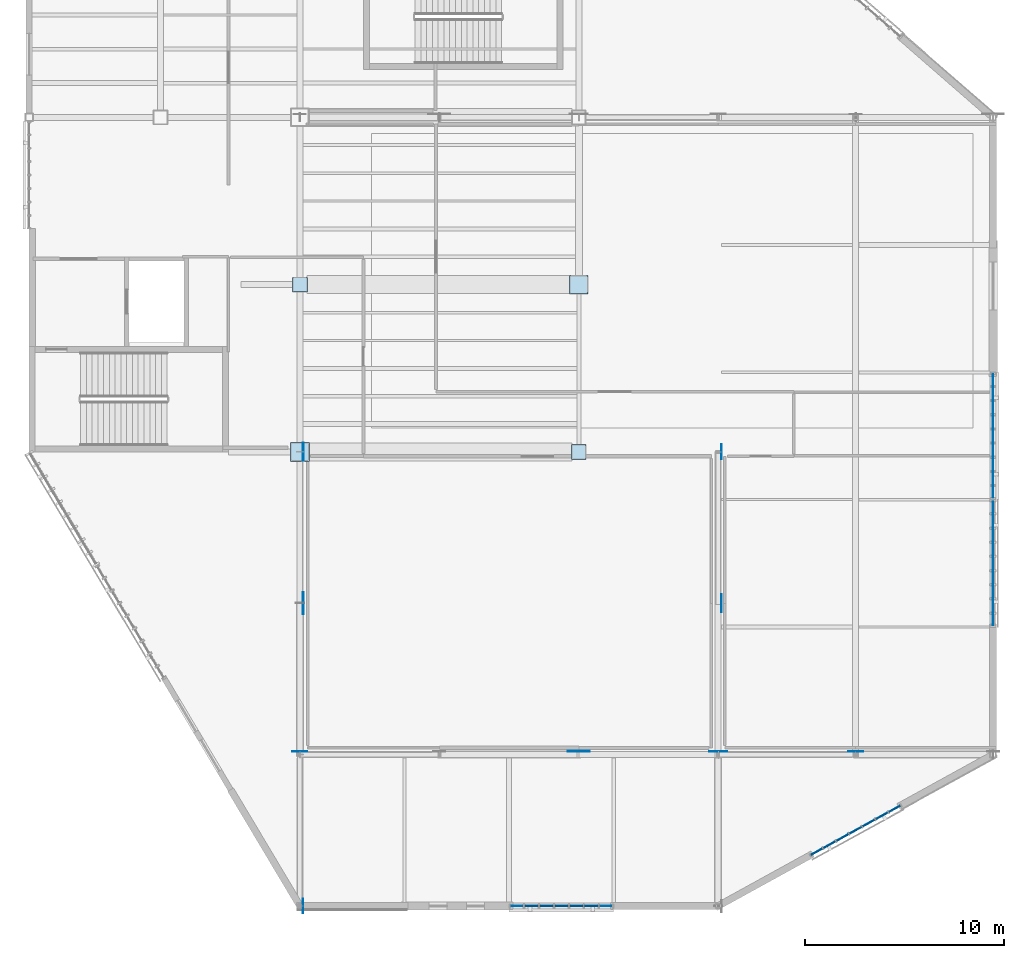
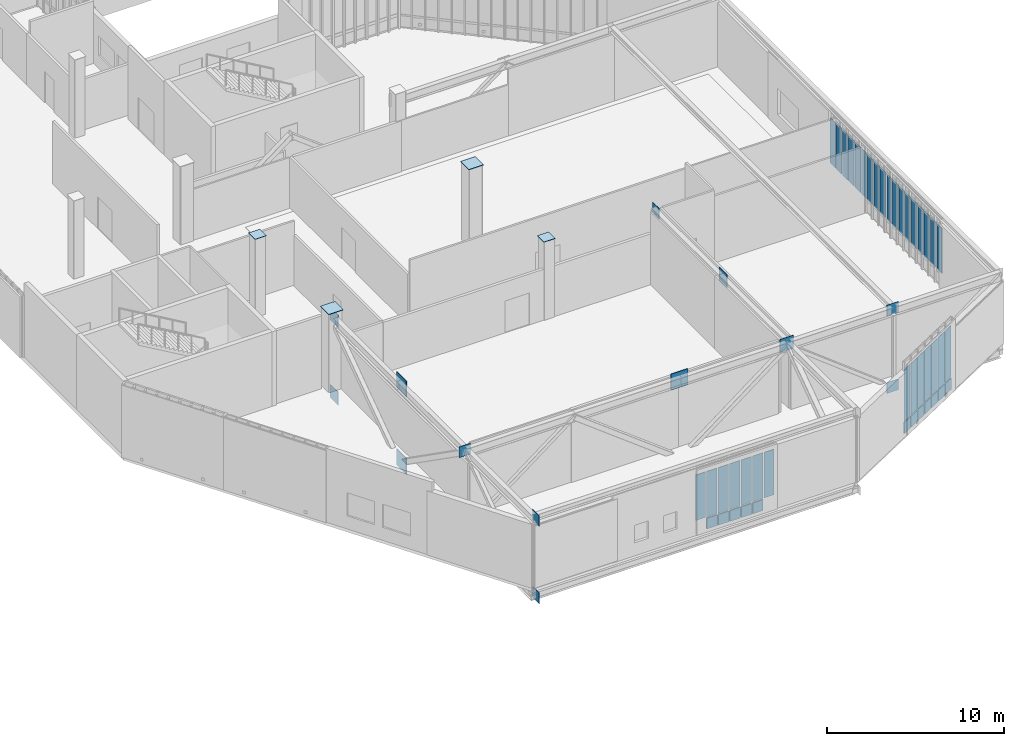
# One storey, part 85 of 135: 61 plates, 4 elements without a shape of their own.
"""IFC4 building model written with IfcOpenShell, lengths in metres."""

from ifc_helpers import new_model, si_unit, direction, frame, origin, origin_2d, place, context, subcontext, project, spatial, rectangle, extrude, material, layer, layer_set, type_object, element, aggregate, save


model = new_model("IFC4")

# Units and contexts
model_context = context("Model", 3, precision=1e-05, world=origin(), true_north=direction((0.0, 1.0)))
body_context = subcontext(model_context, "Body", "Model", "MODEL_VIEW")
ifc_project = project(units=[si_unit("LENGTHUNIT", "METRE"), si_unit("AREAUNIT", "SQUARE_METRE"), si_unit("VOLUMEUNIT", "CUBIC_METRE"), si_unit("PLANEANGLEUNIT", "RADIAN"), si_unit("MASSUNIT", "GRAM", prefix="KILO")], contexts=[model_context])

# Site, building, storey
site_placement = place(None, origin())
site = spatial("IfcSite", under=ifc_project, at=site_placement, CompositionType="ELEMENT")
building_placement = place(site_placement, origin())
building = spatial("IfcBuilding", under=site, at=building_placement, Name="Larkvane Passage Sports Hall", CompositionType="ELEMENT")
storey_placement = place(building_placement, frame((0.0, 0.0, 16.800048828125)))
storey = spatial("IfcBuildingStorey", under=building, at=storey_placement, Name="L03", CompositionType="ELEMENT", Elevation=16.800048828125)

# Curtain wall, plates
ifc_material_1 = material(Name="Thermally broken aluminium and low-E glazing", Category="aluminium")
curtain_wall_type_1 = type_object("IfcCurtainWallType", Name="CW-UNIT-COURT", PredefinedType="USERDEFINED", material=ifc_material_1)
curtain_wall_1_placement = place(storey_placement, origin())
curtain_wall_1 = element("IfcCurtainWall", 1, at=curtain_wall_1_placement, inside=storey, type_object=curtain_wall_type_1, Name="Curtain wall CW5-L03-116", ObjectType="UNITISED CURTAIN WALL", PredefinedType="USERDEFINED")
ifc_material_2 = material(Name="Insulated aluminium spandrel panel", Category="aluminium")
ifc_layer_1 = layer(ifc_material_2, 0.06494140625)
ifc_layer_set_1 = layer_set([ifc_layer_1], Name="Insulated aluminium spandrel panel")
plate_type_1 = type_object("IfcPlateType", Name="CWP-SPD-65", PredefinedType="CURTAIN_PANEL", material=ifc_layer_set_1)
plate_1_placement = place(storey_placement, frame((161.458251953125, 4.87841796875, 0.06005859375), z_axis=(0.0, 0.0, 1.0), x_axis=(-0.875942378343, -0.482415743754, 0.0)))
plate_1 = element("IfcPlate", 2, at=plate_1_placement, type_object=plate_type_1, Name="CW-01 panel 1.1", PredefinedType="CURTAIN_PANEL", context=body_context, shape_type="SweptSolid", body=[
    extrude(rectangle(XDim=0.66015625, YDim=0.06494140625, at=origin_2d()), origin(), (0.0, 0.0, 1.0), 0.760009765625),
])
plate_2_placement = place(storey_placement, frame((160.814208984375, 4.52392578125, 0.06005859375), z_axis=(0.0, 0.0, 1.0), x_axis=(-0.875942378343, -0.482415743754, 0.0)))
plate_2 = element("IfcPlate", 3, at=plate_2_placement, type_object=plate_type_1, Name="CW-01 panel 2.1", PredefinedType="CURTAIN_PANEL", context=body_context, shape_type="SweptSolid", body=[
    extrude(rectangle(XDim=0.690185546875, YDim=0.06494140625, at=origin_2d()), origin(), (0.0, 0.0, 1.0), 0.760009765625),
])
plate_3_placement = place(storey_placement, frame((160.1572265625, 4.161865234375, 0.06005859375), z_axis=(0.0, 0.0, 1.0), x_axis=(-0.875942378343, -0.482415743754, 0.0)))
plate_3 = element("IfcPlate", 4, at=plate_3_placement, type_object=plate_type_1, Name="CW-01 panel 3.1", PredefinedType="CURTAIN_PANEL", context=body_context, shape_type="SweptSolid", body=[
    extrude(rectangle(XDim=0.690185546875, YDim=0.06494140625, at=origin_2d()), origin(), (0.0, 0.0, 1.0), 0.760009765625),
])
plate_4_placement = place(storey_placement, frame((159.5, 3.800048828125, 0.06005859375), z_axis=(0.0, 0.0, 1.0), x_axis=(-0.875942378343, -0.482415743754, 0.0)))
plate_4 = element("IfcPlate", 5, at=plate_4_placement, type_object=plate_type_1, Name="CW-01 panel 4.1", PredefinedType="CURTAIN_PANEL", context=body_context, shape_type="SweptSolid", body=[
    extrude(rectangle(XDim=0.690185546875, YDim=0.06494140625, at=origin_2d()), origin(), (0.0, 0.0, 1.0), 0.760009765625),
])
plate_5_placement = place(storey_placement, frame((158.8427734375, 3.43798828125, 0.06005859375), z_axis=(0.0, 0.0, 1.0), x_axis=(-0.875942378343, -0.482415743754, 0.0)))
plate_5 = element("IfcPlate", 6, at=plate_5_placement, type_object=plate_type_1, Name="CW-01 panel 5.1", PredefinedType="CURTAIN_PANEL", context=body_context, shape_type="SweptSolid", body=[
    extrude(rectangle(XDim=0.690185546875, YDim=0.06494140625, at=origin_2d()), origin(), (0.0, 0.0, 1.0), 0.760009765625),
])
plate_6_placement = place(storey_placement, frame((158.185791015625, 3.076171875, 0.06005859375), z_axis=(0.0, 0.0, 1.0), x_axis=(-0.875942378343, -0.482415743754, 0.0)))
plate_6 = element("IfcPlate", 7, at=plate_6_placement, type_object=plate_type_1, Name="CW-01 panel 6.1", PredefinedType="CURTAIN_PANEL", context=body_context, shape_type="SweptSolid", body=[
    extrude(rectangle(XDim=0.690185546875, YDim=0.06494140625, at=origin_2d()), origin(), (0.0, 0.0, 1.0), 0.760009765625),
])
plate_7_placement = place(storey_placement, frame((157.541748046875, 2.721435546875, 0.06005859375), z_axis=(0.0, 0.0, 1.0), x_axis=(-0.875942378343, -0.482415743754, 0.0)))
plate_7 = element("IfcPlate", 8, at=plate_7_placement, type_object=plate_type_1, Name="CW-01 panel 7.1", PredefinedType="CURTAIN_PANEL", context=body_context, shape_type="SweptSolid", body=[
    extrude(rectangle(XDim=0.66015625, YDim=0.06494140625, at=origin_2d()), origin(), (0.0, 0.0, 1.0), 0.760009765625),
])

curtain_wall_type_2 = type_object("IfcCurtainWallType", Name="CW-UNIT-VEIL", PredefinedType="USERDEFINED", material=ifc_material_1)
curtain_wall_2_placement = place(storey_placement, origin())
curtain_wall_2 = element("IfcCurtainWall", 9, at=curtain_wall_2_placement, inside=storey, type_object=curtain_wall_type_2, Name="Curtain wall CW5-L03-117", ObjectType="UNITISED CURTAIN WALL", PredefinedType="USERDEFINED")
ifc_material_3 = material(Name="Mineral-wool insulated spandrel cassette")
ifc_layer_2 = layer(ifc_material_3, 0.0849609375)
ifc_layer_set_2 = layer_set([ifc_layer_2], Name="Mineral-wool insulated spandrel cassette")
plate_type_2 = type_object("IfcPlateType", Name="CWP-SPD-85", PredefinedType="CURTAIN_PANEL", material=ifc_layer_set_2)
plate_8_placement = place(storey_placement, frame((146.22509765625, 0.0, 0.06982421875), z_axis=(0.0, 0.0, 1.0), x_axis=(-1.0, 0.0, 0.0)))
plate_8 = element("IfcPlate", 10, at=plate_8_placement, type_object=plate_type_2, Name="CW-02 panel 2.1", PredefinedType="CURTAIN_PANEL", context=body_context, shape_type="SweptSolid", body=[
    extrude(rectangle(XDim=0.679931640625, YDim=0.0849609375, at=origin_2d()), origin(), (0.0, 0.0, 1.0), 0.7451171875),
])
plate_9_placement = place(storey_placement, frame((145.47509765625, 0.0, 0.06982421875), z_axis=(0.0, 0.0, 1.0), x_axis=(-1.0, 0.0, 0.0)))
plate_9 = element("IfcPlate", 11, at=plate_9_placement, type_object=plate_type_2, Name="CW-02 panel 3.1", PredefinedType="CURTAIN_PANEL", context=body_context, shape_type="SweptSolid", body=[
    extrude(rectangle(XDim=0.679931640625, YDim=0.0849609375, at=origin_2d()), origin(), (0.0, 0.0, 1.0), 0.7451171875),
])
plate_10_placement = place(storey_placement, frame((144.72509765625, 0.0, 0.06982421875), z_axis=(0.0, 0.0, 1.0), x_axis=(-1.0, 0.0, 0.0)))
plate_10 = element("IfcPlate", 12, at=plate_10_placement, type_object=plate_type_2, Name="CW-02 panel 4.1", PredefinedType="CURTAIN_PANEL", context=body_context, shape_type="SweptSolid", body=[
    extrude(rectangle(XDim=0.679931640625, YDim=0.0849609375, at=origin_2d()), origin(), (0.0, 0.0, 1.0), 0.7451171875),
])
plate_11_placement = place(storey_placement, frame((143.97509765625, 0.0, 0.06982421875), z_axis=(0.0, 0.0, 1.0), x_axis=(-1.0, 0.0, 0.0)))
plate_11 = element("IfcPlate", 13, at=plate_11_placement, type_object=plate_type_2, Name="CW-02 panel 5.1", PredefinedType="CURTAIN_PANEL", context=body_context, shape_type="SweptSolid", body=[
    extrude(rectangle(XDim=0.679931640625, YDim=0.0849609375, at=origin_2d()), origin(), (0.0, 0.0, 1.0), 0.7451171875),
])
plate_12_placement = place(storey_placement, frame((143.22509765625, 0.0, 0.06982421875), z_axis=(0.0, 0.0, 1.0), x_axis=(-1.0, 0.0, 0.0)))
plate_12 = element("IfcPlate", 14, at=plate_12_placement, type_object=plate_type_2, Name="CW-02 panel 6.1", PredefinedType="CURTAIN_PANEL", context=body_context, shape_type="SweptSolid", body=[
    extrude(rectangle(XDim=0.679931640625, YDim=0.0849609375, at=origin_2d()), origin(), (0.0, 0.0, 1.0), 0.7451171875),
])

# Plate
ifc_material_4 = material(Name="Solar-control low-E double glazing", Category="glass")
ifc_layer_3 = layer(ifc_material_4, 0.028076171875)
ifc_layer_set_3 = layer_set([ifc_layer_3], Name="Solar-control low-E double glazing")
plate_type_3 = type_object("IfcPlateType", Name="CWP-VIS-28", PredefinedType="CURTAIN_PANEL", material=ifc_layer_set_3)
plate_13_placement = place(storey_placement, frame((161.458251953125, 4.87841796875, 0.8798828125), z_axis=(0.0, 0.0, 1.0), x_axis=(-0.875942378343, -0.482415743754, 0.0)))
plate_13 = element("IfcPlate", 15, at=plate_13_placement, type_object=plate_type_3, Name="CW-01 panel 1.2", PredefinedType="CURTAIN_PANEL", context=body_context, shape_type="SweptSolid", body=[
    extrude(rectangle(XDim=0.66015625, YDim=0.028076171875, at=origin_2d()), origin(), (0.0, 0.0, 1.0), 3.570068359375),
])

plate_14_placement = place(storey_placement, frame((160.814208984375, 4.52392578125, 0.8798828125), z_axis=(0.0, 0.0, 1.0), x_axis=(-0.875942378343, -0.482415743754, 0.0)))
plate_14 = element("IfcPlate", 16, at=plate_14_placement, type_object=plate_type_3, Name="CW-01 panel 2.2", PredefinedType="CURTAIN_PANEL", context=body_context, shape_type="SweptSolid", body=[
    extrude(rectangle(XDim=0.690185546875, YDim=0.028076171875, at=origin_2d()), origin(), (0.0, 0.0, 1.0), 3.570068359375),
])

plate_15_placement = place(storey_placement, frame((160.1572265625, 4.161865234375, 0.8798828125), z_axis=(0.0, 0.0, 1.0), x_axis=(-0.875942378343, -0.482415743754, 0.0)))
plate_15 = element("IfcPlate", 17, at=plate_15_placement, type_object=plate_type_3, Name="CW-01 panel 3.2", PredefinedType="CURTAIN_PANEL", context=body_context, shape_type="SweptSolid", body=[
    extrude(rectangle(XDim=0.690185546875, YDim=0.028076171875, at=origin_2d()), origin(), (0.0, 0.0, 1.0), 3.570068359375),
])

plate_16_placement = place(storey_placement, frame((159.5, 3.800048828125, 0.8798828125), z_axis=(0.0, 0.0, 1.0), x_axis=(-0.875942378343, -0.482415743754, 0.0)))
plate_16 = element("IfcPlate", 18, at=plate_16_placement, type_object=plate_type_3, Name="CW-01 panel 4.2", PredefinedType="CURTAIN_PANEL", context=body_context, shape_type="SweptSolid", body=[
    extrude(rectangle(XDim=0.690185546875, YDim=0.028076171875, at=origin_2d()), origin(), (0.0, 0.0, 1.0), 3.570068359375),
])

plate_17_placement = place(storey_placement, frame((158.8427734375, 3.43798828125, 0.8798828125), z_axis=(0.0, 0.0, 1.0), x_axis=(-0.875942378343, -0.482415743754, 0.0)))
plate_17 = element("IfcPlate", 19, at=plate_17_placement, type_object=plate_type_3, Name="CW-01 panel 5.2", PredefinedType="CURTAIN_PANEL", context=body_context, shape_type="SweptSolid", body=[
    extrude(rectangle(XDim=0.690185546875, YDim=0.028076171875, at=origin_2d()), origin(), (0.0, 0.0, 1.0), 3.570068359375),
])

plate_18_placement = place(storey_placement, frame((158.185791015625, 3.076171875, 0.8798828125), z_axis=(0.0, 0.0, 1.0), x_axis=(-0.875942378343, -0.482415743754, 0.0)))
plate_18 = element("IfcPlate", 20, at=plate_18_placement, type_object=plate_type_3, Name="CW-01 panel 6.2", PredefinedType="CURTAIN_PANEL", context=body_context, shape_type="SweptSolid", body=[
    extrude(rectangle(XDim=0.690185546875, YDim=0.028076171875, at=origin_2d()), origin(), (0.0, 0.0, 1.0), 3.570068359375),
])

plate_19_placement = place(storey_placement, frame((157.541748046875, 2.721435546875, 0.8798828125), z_axis=(0.0, 0.0, 1.0), x_axis=(-0.875942378343, -0.482415743754, 0.0)))
plate_19 = element("IfcPlate", 21, at=plate_19_placement, type_object=plate_type_3, Name="CW-01 panel 7.2", PredefinedType="CURTAIN_PANEL", context=body_context, shape_type="SweptSolid", body=[
    extrude(rectangle(XDim=0.66015625, YDim=0.028076171875, at=origin_2d()), origin(), (0.0, 0.0, 1.0), 3.570068359375),
])

aggregate(curtain_wall_1, [plate_1, plate_13, plate_2, plate_14, plate_3, plate_15, plate_4, plate_16, plate_5, plate_17, plate_6, plate_18, plate_7, plate_19])

ifc_material_5 = material(Name="Laminated acoustic low-E glazing", Category="glass")
ifc_layer_4 = layer(ifc_material_5, 0.031982421875)
ifc_layer_set_4 = layer_set([ifc_layer_4], Name="Laminated acoustic low-E glazing")
plate_type_4 = type_object("IfcPlateType", Name="CWP-VIS-32", PredefinedType="CURTAIN_PANEL", material=ifc_layer_set_4)
plate_20_placement = place(storey_placement, frame((146.95751953125, 0.0, 0.885009765625), z_axis=(0.0, 0.0, 1.0), x_axis=(-1.0, 0.0, 0.0)))
plate_20 = element("IfcPlate", 22, at=plate_20_placement, type_object=plate_type_4, Name="CW-02 panel 1.2", PredefinedType="CURTAIN_PANEL", context=body_context, shape_type="SweptSolid", body=[
    extrude(rectangle(XDim=0.64501953125, YDim=0.031982421875, at=origin_2d()), origin(), (0.0, 0.0, 1.0), 3.14794921875),
])

plate_21_placement = place(storey_placement, frame((146.22509765625, 0.0, 0.885009765625), z_axis=(0.0, 0.0, 1.0), x_axis=(-1.0, 0.0, 0.0)))
plate_21 = element("IfcPlate", 23, at=plate_21_placement, type_object=plate_type_4, Name="CW-02 panel 2.2", PredefinedType="CURTAIN_PANEL", context=body_context, shape_type="SweptSolid", body=[
    extrude(rectangle(XDim=0.679931640625, YDim=0.031982421875, at=origin_2d()), origin(), (0.0, 0.0, 1.0), 3.14794921875),
])

plate_22_placement = place(storey_placement, frame((145.47509765625, 0.0, 0.885009765625), z_axis=(0.0, 0.0, 1.0), x_axis=(-1.0, 0.0, 0.0)))
plate_22 = element("IfcPlate", 24, at=plate_22_placement, type_object=plate_type_4, Name="CW-02 panel 3.2", PredefinedType="CURTAIN_PANEL", context=body_context, shape_type="SweptSolid", body=[
    extrude(rectangle(XDim=0.679931640625, YDim=0.031982421875, at=origin_2d()), origin(), (0.0, 0.0, 1.0), 3.14794921875),
])

plate_23_placement = place(storey_placement, frame((144.72509765625, 0.0, 0.885009765625), z_axis=(0.0, 0.0, 1.0), x_axis=(-1.0, 0.0, 0.0)))
plate_23 = element("IfcPlate", 25, at=plate_23_placement, type_object=plate_type_4, Name="CW-02 panel 4.2", PredefinedType="CURTAIN_PANEL", context=body_context, shape_type="SweptSolid", body=[
    extrude(rectangle(XDim=0.679931640625, YDim=0.031982421875, at=origin_2d()), origin(), (0.0, 0.0, 1.0), 3.14794921875),
])

plate_24_placement = place(storey_placement, frame((143.97509765625, 0.0, 0.885009765625), z_axis=(0.0, 0.0, 1.0), x_axis=(-1.0, 0.0, 0.0)))
plate_24 = element("IfcPlate", 26, at=plate_24_placement, type_object=plate_type_4, Name="CW-02 panel 5.2", PredefinedType="CURTAIN_PANEL", context=body_context, shape_type="SweptSolid", body=[
    extrude(rectangle(XDim=0.679931640625, YDim=0.031982421875, at=origin_2d()), origin(), (0.0, 0.0, 1.0), 3.14794921875),
])

plate_25_placement = place(storey_placement, frame((143.22509765625, 0.0, 0.885009765625), z_axis=(0.0, 0.0, 1.0), x_axis=(-1.0, 0.0, 0.0)))
plate_25 = element("IfcPlate", 27, at=plate_25_placement, type_object=plate_type_4, Name="CW-02 panel 6.2", PredefinedType="CURTAIN_PANEL", context=body_context, shape_type="SweptSolid", body=[
    extrude(rectangle(XDim=0.679931640625, YDim=0.031982421875, at=origin_2d()), origin(), (0.0, 0.0, 1.0), 3.14794921875),
])

plate_26_placement = place(storey_placement, frame((142.492431640625, 0.0, 0.885009765625), z_axis=(0.0, 0.0, 1.0), x_axis=(-1.0, 0.0, 0.0)))
plate_26 = element("IfcPlate", 28, at=plate_26_placement, type_object=plate_type_4, Name="CW-02 panel 7.2", PredefinedType="CURTAIN_PANEL", context=body_context, shape_type="SweptSolid", body=[
    extrude(rectangle(XDim=0.64501953125, YDim=0.031982421875, at=origin_2d()), origin(), (0.0, 0.0, 1.0), 3.14794921875),
])

aggregate(curtain_wall_2, [plate_20, plate_8, plate_21, plate_9, plate_22, plate_10, plate_23, plate_11, plate_24, plate_12, plate_25, plate_26])

# Curtain wall, plates
curtain_wall_type_3 = type_object("IfcCurtainWallType", Name="CW-STICK-FOYER", PredefinedType="USERDEFINED", material=ifc_material_1)
curtain_wall_3_placement = place(storey_placement, origin())
curtain_wall_3 = element("IfcCurtainWall", 29, at=curtain_wall_3_placement, inside=storey, type_object=curtain_wall_type_3, Name="Curtain wall CW5-L03-114", ObjectType="STICK CURTAIN WALL", PredefinedType="USERDEFINED")
ifc_material_6 = material(Name="High-impact court low-E glazing", Category="glass")
ifc_layer_5 = layer(ifc_material_6, 0.035888671875)
ifc_layer_set_5 = layer_set([ifc_layer_5], Name="High-impact court low-E glazing")
plate_type_5 = type_object("IfcPlateType", Name="CWP-VIS-36", PredefinedType="CURTAIN_PANEL", material=ifc_layer_set_5)
plate_27_placement = place(storey_placement, frame((166.39990234375, 26.421875, 0.89501953125), z_axis=(0.0, 0.0, 1.0), x_axis=(0.0, -1.0, 0.0)))
plate_27 = element("IfcPlate", 30, at=plate_27_placement, type_object=plate_type_5, Name="CW-03 panel 1.2", PredefinedType="CURTAIN_PANEL", context=body_context, shape_type="SweptSolid", body=[
    extrude(rectangle(XDim=0.576171875, YDim=0.035888671875, at=origin_2d()), origin(), (0.0, 0.0, 1.0), 3.1279296875),
])
plate_28_placement = place(storey_placement, frame((166.39990234375, 25.7333984375, 0.89501953125), z_axis=(0.0, 0.0, 1.0), x_axis=(0.0, -1.0, 0.0)))
plate_28 = element("IfcPlate", 31, at=plate_28_placement, type_object=plate_type_5, Name="CW-03 panel 2.2", PredefinedType="CURTAIN_PANEL", context=body_context, shape_type="SweptSolid", body=[
    extrude(rectangle(XDim=0.62109375, YDim=0.035888671875, at=origin_2d()), origin(), (0.0, 0.0, 1.0), 3.1279296875),
])
plate_29_placement = place(storey_placement, frame((166.39990234375, 25.022216796875, 0.89501953125), z_axis=(0.0, 0.0, 1.0), x_axis=(0.0, -1.0, 0.0)))
plate_29 = element("IfcPlate", 32, at=plate_29_placement, type_object=plate_type_5, Name="CW-03 panel 3.2", PredefinedType="CURTAIN_PANEL", context=body_context, shape_type="SweptSolid", body=[
    extrude(rectangle(XDim=0.62109375, YDim=0.035888671875, at=origin_2d()), origin(), (0.0, 0.0, 1.0), 3.1279296875),
])
plate_30_placement = place(storey_placement, frame((166.39990234375, 24.31103515625, 0.89501953125), z_axis=(0.0, 0.0, 1.0), x_axis=(0.0, -1.0, 0.0)))
plate_30 = element("IfcPlate", 33, at=plate_30_placement, type_object=plate_type_5, Name="CW-03 panel 4.2", PredefinedType="CURTAIN_PANEL", context=body_context, shape_type="SweptSolid", body=[
    extrude(rectangle(XDim=0.62109375, YDim=0.035888671875, at=origin_2d()), origin(), (0.0, 0.0, 1.0), 3.1279296875),
])
plate_31_placement = place(storey_placement, frame((166.39990234375, 23.60009765625, 0.89501953125), z_axis=(0.0, 0.0, 1.0), x_axis=(0.0, -1.0, 0.0)))
plate_31 = element("IfcPlate", 34, at=plate_31_placement, type_object=plate_type_5, Name="CW-03 panel 5.2", PredefinedType="CURTAIN_PANEL", context=body_context, shape_type="SweptSolid", body=[
    extrude(rectangle(XDim=0.62109375, YDim=0.035888671875, at=origin_2d()), origin(), (0.0, 0.0, 1.0), 3.1279296875),
])
plate_32_placement = place(storey_placement, frame((166.39990234375, 22.888916015625, 0.89501953125), z_axis=(0.0, 0.0, 1.0), x_axis=(0.0, -1.0, 0.0)))
plate_32 = element("IfcPlate", 35, at=plate_32_placement, type_object=plate_type_5, Name="CW-03 panel 6.2", PredefinedType="CURTAIN_PANEL", context=body_context, shape_type="SweptSolid", body=[
    extrude(rectangle(XDim=0.62109375, YDim=0.035888671875, at=origin_2d()), origin(), (0.0, 0.0, 1.0), 3.1279296875),
])
plate_33_placement = place(storey_placement, frame((166.39990234375, 22.177734375, 0.89501953125), z_axis=(0.0, 0.0, 1.0), x_axis=(0.0, -1.0, 0.0)))
plate_33 = element("IfcPlate", 36, at=plate_33_placement, type_object=plate_type_5, Name="CW-03 panel 7.2", PredefinedType="CURTAIN_PANEL", context=body_context, shape_type="SweptSolid", body=[
    extrude(rectangle(XDim=0.62109375, YDim=0.035888671875, at=origin_2d()), origin(), (0.0, 0.0, 1.0), 3.1279296875),
])
plate_34_placement = place(storey_placement, frame((166.39990234375, 21.466552734375, 0.89501953125), z_axis=(0.0, 0.0, 1.0), x_axis=(0.0, -1.0, 0.0)))
plate_34 = element("IfcPlate", 37, at=plate_34_placement, type_object=plate_type_5, Name="CW-03 panel 8.2", PredefinedType="CURTAIN_PANEL", context=body_context, shape_type="SweptSolid", body=[
    extrude(rectangle(XDim=0.62109375, YDim=0.035888671875, at=origin_2d()), origin(), (0.0, 0.0, 1.0), 3.1279296875),
])
plate_35_placement = place(storey_placement, frame((166.39990234375, 20.778076171875, 0.89501953125), z_axis=(0.0, 0.0, 1.0), x_axis=(0.0, -1.0, 0.0)))
plate_35 = element("IfcPlate", 38, at=plate_35_placement, type_object=plate_type_5, Name="CW-03 panel 9.2", PredefinedType="CURTAIN_PANEL", context=body_context, shape_type="SweptSolid", body=[
    extrude(rectangle(XDim=0.576171875, YDim=0.035888671875, at=origin_2d()), origin(), (0.0, 0.0, 1.0), 3.1279296875),
])
aggregate(curtain_wall_3, [plate_27, plate_28, plate_29, plate_30, plate_31, plate_32, plate_33, plate_34, plate_35])

curtain_wall_type_4 = type_object("IfcCurtainWallType", Name="CW-CLINIC", PredefinedType="USERDEFINED", material=ifc_material_1)
curtain_wall_4_placement = place(storey_placement, origin())
curtain_wall_4 = element("IfcCurtainWall", 39, at=curtain_wall_4_placement, inside=storey, type_object=curtain_wall_type_4, Name="Curtain wall CW5-L03-115", ObjectType="UNITISED CURTAIN WALL", PredefinedType="USERDEFINED")
ifc_material_7 = material(Name="Triple-laminated typhoon glazing", Category="glass")
ifc_layer_6 = layer(ifc_material_7, 0.0419921875)
ifc_layer_set_6 = layer_set([ifc_layer_6], Name="Triple-laminated typhoon glazing")
plate_type_6 = type_object("IfcPlateType", Name="CWP-VIS-42", PredefinedType="CURTAIN_PANEL", material=ifc_layer_set_6)
plate_36_placement = place(storey_placement, frame((166.39990234375, 20.01953125, 0.89990234375), z_axis=(0.0, 0.0, 1.0), x_axis=(0.0, -1.0, 0.0)))
plate_36 = element("IfcPlate", 40, at=plate_36_placement, type_object=plate_type_6, Name="CW-05 panel 1.2", PredefinedType="CURTAIN_PANEL", context=body_context, shape_type="SweptSolid", body=[
    extrude(rectangle(XDim=0.56103515625, YDim=0.0419921875, at=origin_2d()), origin(), (0.0, 0.0, 1.0), 3.117919921875),
])
plate_37_placement = place(storey_placement, frame((166.39990234375, 19.333251953125, 0.89990234375), z_axis=(0.0, 0.0, 1.0), x_axis=(0.0, -1.0, 0.0)))
plate_37 = element("IfcPlate", 41, at=plate_37_placement, type_object=plate_type_6, Name="CW-05 panel 2.2", PredefinedType="CURTAIN_PANEL", context=body_context, shape_type="SweptSolid", body=[
    extrude(rectangle(XDim=0.611083984375, YDim=0.0419921875, at=origin_2d()), origin(), (0.0, 0.0, 1.0), 3.117919921875),
])
plate_38_placement = place(storey_placement, frame((166.39990234375, 18.622314453125, 0.89990234375), z_axis=(0.0, 0.0, 1.0), x_axis=(0.0, -1.0, 0.0)))
plate_38 = element("IfcPlate", 42, at=plate_38_placement, type_object=plate_type_6, Name="CW-05 panel 3.2", PredefinedType="CURTAIN_PANEL", context=body_context, shape_type="SweptSolid", body=[
    extrude(rectangle(XDim=0.611083984375, YDim=0.0419921875, at=origin_2d()), origin(), (0.0, 0.0, 1.0), 3.117919921875),
])
plate_39_placement = place(storey_placement, frame((166.39990234375, 17.9111328125, 0.89990234375), z_axis=(0.0, 0.0, 1.0), x_axis=(0.0, -1.0, 0.0)))
plate_39 = element("IfcPlate", 43, at=plate_39_placement, type_object=plate_type_6, Name="CW-05 panel 4.2", PredefinedType="CURTAIN_PANEL", context=body_context, shape_type="SweptSolid", body=[
    extrude(rectangle(XDim=0.611083984375, YDim=0.0419921875, at=origin_2d()), origin(), (0.0, 0.0, 1.0), 3.117919921875),
])
plate_40_placement = place(storey_placement, frame((166.39990234375, 17.199951171875, 0.89990234375), z_axis=(0.0, 0.0, 1.0), x_axis=(0.0, -1.0, 0.0)))
plate_40 = element("IfcPlate", 44, at=plate_40_placement, type_object=plate_type_6, Name="CW-05 panel 5.2", PredefinedType="CURTAIN_PANEL", context=body_context, shape_type="SweptSolid", body=[
    extrude(rectangle(XDim=0.611083984375, YDim=0.0419921875, at=origin_2d()), origin(), (0.0, 0.0, 1.0), 3.117919921875),
])
plate_41_placement = place(storey_placement, frame((166.39990234375, 16.48876953125, 0.89990234375), z_axis=(0.0, 0.0, 1.0), x_axis=(0.0, -1.0, 0.0)))
plate_41 = element("IfcPlate", 45, at=plate_41_placement, type_object=plate_type_6, Name="CW-05 panel 6.2", PredefinedType="CURTAIN_PANEL", context=body_context, shape_type="SweptSolid", body=[
    extrude(rectangle(XDim=0.611083984375, YDim=0.0419921875, at=origin_2d()), origin(), (0.0, 0.0, 1.0), 3.117919921875),
])
plate_42_placement = place(storey_placement, frame((166.39990234375, 15.77783203125, 0.89990234375), z_axis=(0.0, 0.0, 1.0), x_axis=(0.0, -1.0, 0.0)))
plate_42 = element("IfcPlate", 46, at=plate_42_placement, type_object=plate_type_6, Name="CW-05 panel 7.2", PredefinedType="CURTAIN_PANEL", context=body_context, shape_type="SweptSolid", body=[
    extrude(rectangle(XDim=0.611083984375, YDim=0.0419921875, at=origin_2d()), origin(), (0.0, 0.0, 1.0), 3.117919921875),
])
plate_43_placement = place(storey_placement, frame((166.39990234375, 15.066650390625, 0.89990234375), z_axis=(0.0, 0.0, 1.0), x_axis=(0.0, -1.0, 0.0)))
plate_43 = element("IfcPlate", 47, at=plate_43_placement, type_object=plate_type_6, Name="CW-05 panel 8.2", PredefinedType="CURTAIN_PANEL", context=body_context, shape_type="SweptSolid", body=[
    extrude(rectangle(XDim=0.611083984375, YDim=0.0419921875, at=origin_2d()), origin(), (0.0, 0.0, 1.0), 3.117919921875),
])
plate_44_placement = place(storey_placement, frame((166.39990234375, 14.380615234375, 0.89990234375), z_axis=(0.0, 0.0, 1.0), x_axis=(0.0, -1.0, 0.0)))
plate_44 = element("IfcPlate", 48, at=plate_44_placement, type_object=plate_type_6, Name="CW-05 panel 9.2", PredefinedType="CURTAIN_PANEL", context=body_context, shape_type="SweptSolid", body=[
    extrude(rectangle(XDim=0.56103515625, YDim=0.0419921875, at=origin_2d()), origin(), (0.0, 0.0, 1.0), 3.117919921875),
])
aggregate(curtain_wall_4, [plate_36, plate_37, plate_38, plate_39, plate_40, plate_41, plate_42, plate_43, plate_44])

# Plates
ifc_material_8 = material(Name="Steel S460N", Category="steel")
ifc_layer_7 = layer(ifc_material_8, 0.028076171875)
ifc_layer_set_7 = layer_set([ifc_layer_7], Name="Steel S460N")
plate_type_7 = type_object("IfcPlateType", Name="PLT-CAP-28", PredefinedType="SHEET", material=ifc_layer_set_7)
for number, where, z_axis, x_axis, name in (
    (49, (131.60009765625, 31.199951171875, 5.39990234375), (0.0, 0.0, 1.0), (1.0, 0.0, 0.0), "Hollow section sealed end cap plate 0029"),
    (50, (145.60009765625, 22.800048828125, 5.39990234375), (0.0, 0.0, 1.0), (1.0, 0.0, 0.0), "Hollow section sealed end cap plate 0035"),
):
    element("IfcPlate", number, at=place(storey_placement, frame(where, z_axis=z_axis, x_axis=x_axis)), inside=storey, type_object=plate_type_7, Name=name, PredefinedType="SHEET", context=body_context, shape_type="SweptSolid", body=[
        extrude(rectangle(XDim=0.739990234375, YDim=0.739990234375, at=origin_2d()), origin(), (0.0, 0.0, 1.0), 0.028076171875),
    ])
ifc_layer_8 = layer(ifc_material_8, 0.035888671875)
ifc_layer_set_8 = layer_set([ifc_layer_8], Name="Steel S460N")
plate_type_8 = type_object("IfcPlateType", Name="PLT-CAP-36", PredefinedType="SHEET", material=ifc_layer_set_8)
for number, where, z_axis, x_axis, name in (
    (51, (131.60009765625, 22.800048828125, 5.39990234375), (0.0, 0.0, 1.0), (1.0, 0.0, 0.0), "Hollow section sealed end cap plate 0028"),
    (52, (145.60009765625, 31.199951171875, 5.39990234375), (0.0, 0.0, 1.0), (1.0, 0.0, 0.0), "Hollow section sealed end cap plate 0036"),
):
    element("IfcPlate", number, at=place(storey_placement, frame(where, z_axis=z_axis, x_axis=x_axis)), inside=storey, type_object=plate_type_8, Name=name, PredefinedType="SHEET", context=body_context, shape_type="SweptSolid", body=[
        extrude(rectangle(XDim=0.93994140625, YDim=0.93994140625, at=origin_2d()), origin(), (0.0, 0.0, 1.0), 0.035888671875),
    ])
ifc_layer_9 = layer(ifc_material_8, 0.02392578125)
ifc_layer_set_9 = layer_set([ifc_layer_9], Name="Steel S460N")
plate_type_9 = type_object("IfcPlateType", Name="PLT-GUS-24", PredefinedType="USERDEFINED", material=ifc_layer_set_9)
for number, where, z_axis, x_axis, name in (
    (53, (131.60009765625, 7.761962890625, 4.350830078125), (0.0, 0.0, 1.0), (1.0, 0.0, 0.0), "Truss node gusset plate ND-1T (CT-E3A-1)"),
    (54, (159.5, 7.761962890625, -0.989013671875), (0.0, 0.0, 1.0), (1.0, 0.0, 0.0), "Truss node gusset plate ND-5B (CT-E3A-1)"),
    (55, (159.5, 7.761962890625, 4.350830078125), (0.0, 0.0, 1.0), (1.0, 0.0, 0.0), "Truss node gusset plate ND-5T (CT-E3A-1)"),
    (56, (131.761962890625, 0.0, -0.989013671875), (0.0, 0.0, 1.0), (0.0, 1.0, 0.0), "Truss node gusset plate ND-1B (CT-S3A-1)"),
    (57, (131.761962890625, 0.0, 4.350830078125), (0.0, 0.0, 1.0), (0.0, 1.0, 0.0), "Truss node gusset plate ND-1T (CT-S3A-1)"),
    (58, (152.761962890625, 22.800048828125, 4.350830078125), (0.0, 0.0, 1.0), (0.0, 1.0, 0.0), "Truss node gusset plate ND-4T (CT-S3A-2)"),
):
    element("IfcPlate", number, at=place(storey_placement, frame(where, z_axis=z_axis, x_axis=x_axis)), inside=storey, type_object=plate_type_9, Name=name, ObjectType="GUSSET PLATE", PredefinedType="USERDEFINED", context=body_context, shape_type="SweptSolid", body=[
        extrude(rectangle(XDim=0.75, YDim=0.02392578125, at=origin_2d()), origin(), (0.0, 0.0, 1.0), 0.75),
    ])
ifc_layer_10 = layer(ifc_material_8, 0.031982421875)
ifc_layer_set_10 = layer_set([ifc_layer_10], Name="Steel S460N")
plate_type_10 = type_object("IfcPlateType", Name="PLT-GUS-32", PredefinedType="USERDEFINED", material=ifc_layer_set_10)
for number, where, z_axis, x_axis, name in (
    (59, (152.60009765625, 7.76611328125, 4.27587890625), (0.0, 0.0, 1.0), (1.0, 0.0, 0.0), "Truss node gusset plate ND-4T (CT-E3A-1)"),
    (60, (131.76611328125, 22.800048828125, -1.06396484375), (0.0, 0.0, 1.0), (0.0, 1.0, 0.0), "Truss node gusset plate ND-4B (CT-S3A-1)"),
    (61, (131.76611328125, 22.800048828125, 4.27587890625), (0.0, 0.0, 1.0), (0.0, 1.0, 0.0), "Truss node gusset plate ND-4T (CT-S3A-1)"),
    (62, (152.76611328125, 15.199951171875, 4.27587890625), (0.0, 0.0, 1.0), (0.0, 1.0, 0.0), "Truss node gusset plate ND-3T (CT-S3A-2)"),
):
    element("IfcPlate", number, at=place(storey_placement, frame(where, z_axis=z_axis, x_axis=x_axis)), inside=storey, type_object=plate_type_10, Name=name, ObjectType="GUSSET PLATE", PredefinedType="USERDEFINED", context=body_context, shape_type="SweptSolid", body=[
        extrude(rectangle(XDim=0.89990234375, YDim=0.031982421875, at=origin_2d()), origin(), (0.0, 0.0, 1.0), 0.89990234375),
    ])
ifc_layer_11 = layer(ifc_material_8, 0.0400390625)
ifc_layer_set_11 = layer_set([ifc_layer_11], Name="Steel S460N")
plate_type_11 = type_object("IfcPlateType", Name="PLT-GUS-40", PredefinedType="USERDEFINED", material=ifc_layer_set_11)
for number, where, z_axis, x_axis, name in (
    (63, (145.60009765625, 7.77001953125, 4.17578125), (0.0, 0.0, 1.0), (1.0, 0.0, 0.0), "Truss node gusset plate ND-3T (CT-E3A-1)"),
    (64, (131.77001953125, 15.199951171875, -1.1640625), (0.0, 0.0, 1.0), (0.0, 1.0, 0.0), "Truss node gusset plate ND-3B (CT-S3A-1)"),
    (65, (131.77001953125, 15.199951171875, 4.17578125), (0.0, 0.0, 1.0), (0.0, 1.0, 0.0), "Truss node gusset plate ND-3T (CT-S3A-1)"),
):
    element("IfcPlate", number, at=place(storey_placement, frame(where, z_axis=z_axis, x_axis=x_axis)), inside=storey, type_object=plate_type_11, Name=name, ObjectType="GUSSET PLATE", PredefinedType="USERDEFINED", context=body_context, shape_type="SweptSolid", body=[
        extrude(rectangle(XDim=1.10009765625, YDim=0.0400390625, at=origin_2d()), origin(), (0.0, 0.0, 1.0), 1.10009765625),
    ])

save(model, "model.ifc")
